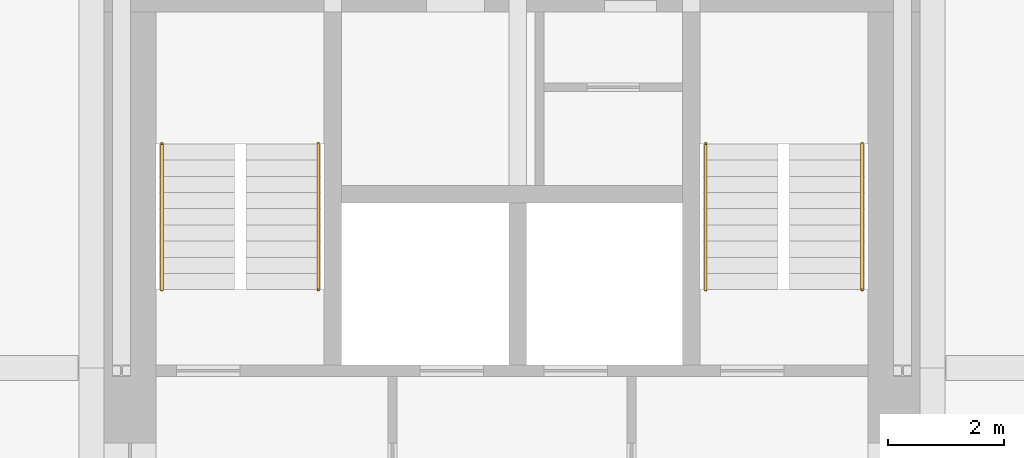
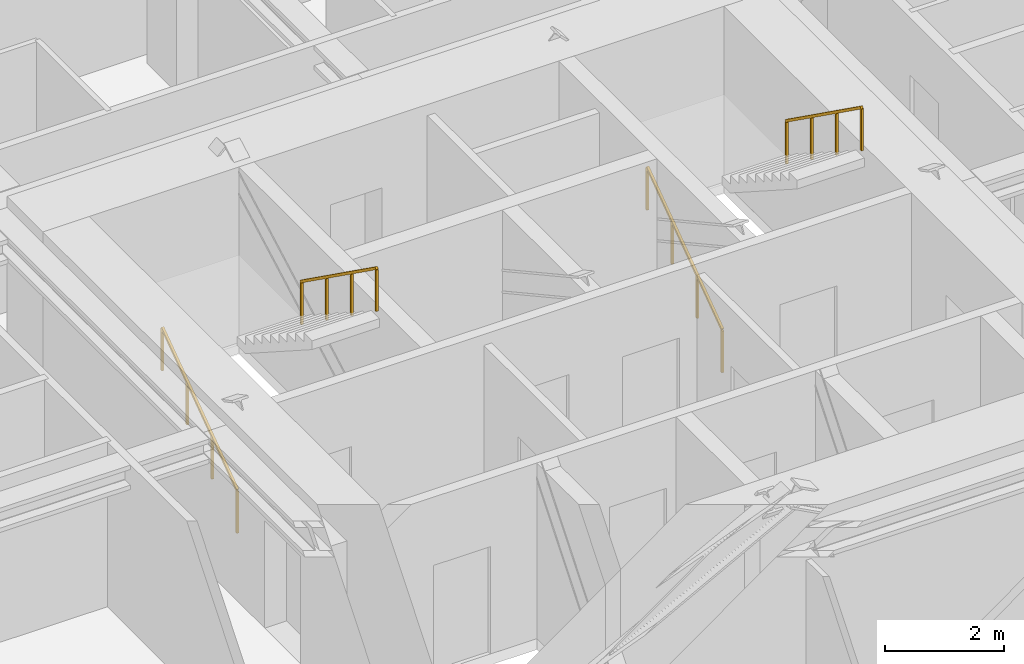
# One storey, part 8 of 8: 4 railings.
"""IFC4 building model written with IfcOpenShell, lengths in metres."""

from ifc_helpers import new_model, si_unit, direction, frame, origin, origin_2d, place, context, subcontext, project, spatial, rectangle, extrude, material, type_object, element, save


model = new_model("IFC4")

# Units and contexts
model_context = context("Model", 3, precision=1e-05, world=origin(), true_north=direction((0.0, 1.0)))
body_context = subcontext(model_context, "Body", "Model", "MODEL_VIEW")
ifc_project = project(units=[si_unit("LENGTHUNIT", "METRE"), si_unit("AREAUNIT", "SQUARE_METRE"), si_unit("VOLUMEUNIT", "CUBIC_METRE"), si_unit("PLANEANGLEUNIT", "RADIAN"), si_unit("MASSUNIT", "GRAM", prefix="KILO")], contexts=[model_context])

# Site, building, storey
site_placement = place(None, origin())
site = spatial("IfcSite", under=ifc_project, at=site_placement, CompositionType="ELEMENT")
building_placement = place(site_placement, origin())
building = spatial("IfcBuilding", under=site, at=building_placement, Name="Nyansa Garden Tower", CompositionType="ELEMENT")
storey_placement = place(building_placement, frame((0.0, 0.0, 243.89990234375)))
storey = spatial("IfcBuildingStorey", under=building, at=storey_placement, Name="L66", CompositionType="ELEMENT", Elevation=243.89990234375)

# Railings
ifc_material = material(Name="Black powder-coated steel tube 48 mm", Category="steel")
railing_type = type_object("IfcRailingType", Name="Stair handrail HR1", PredefinedType="HANDRAIL", material=ifc_material)
railing_1_placement = place(storey_placement, frame((14.199951171875, 21.60009765625, 0.0)))
element("IfcRailing", 1, at=railing_1_placement, inside=storey, type_object=railing_type, Name="Stair S1 handrail L66", PredefinedType="HANDRAIL", context=body_context, shape_type="SweptSolid", body=[
    extrude(rectangle(XDim=0.048095703125, YDim=0.048095703125, at=origin_2d()), frame((0.0, 0.0, 0.8759765625), z_axis=(0.0, 0.813728144527, 0.581245650998), x_axis=(-1.0, 0.0, 0.0)), (0.0, 0.0, 1.0), 3.096923828125),
    extrude(rectangle(XDim=0.0419921875, YDim=0.0419921875, at=origin_2d()), origin(), (0.0, 0.0, 1.0), 0.851806640625),
    extrude(rectangle(XDim=0.0419921875, YDim=0.0419921875, at=origin_2d()), frame((0.0, 0.840087890625, 0.60009765625)), (0.0, 0.0, 1.0), 0.851806640625),
    extrude(rectangle(XDim=0.0419921875, YDim=0.0419921875, at=origin_2d()), frame((0.0, 1.679931640625, 1.199951171875)), (0.0, 0.0, 1.0), 0.851806640625),
    extrude(rectangle(XDim=0.0419921875, YDim=0.0419921875, at=origin_2d()), frame((0.0, 2.52001953125, 1.800048828125)), (0.0, 0.0, 1.0), 0.851806640625),
])
railing_2_placement = place(storey_placement, frame((16.89990234375, 24.1201171875, 1.800048828125)))
element("IfcRailing", 2, at=railing_2_placement, inside=storey, type_object=railing_type, Name="Stair S1 handrail L66", PredefinedType="HANDRAIL", context=body_context, shape_type="SweptSolid", body=[
    extrude(rectangle(XDim=0.048095703125, YDim=0.048095703125, at=origin_2d()), frame((0.0, 0.0, 0.8759765625), z_axis=(0.0, -0.813728144527, 0.581245650998), x_axis=(1.0, 0.0, 0.0)), (0.0, 0.0, 1.0), 3.096923828125),
    extrude(rectangle(XDim=0.0419921875, YDim=0.0419921875, at=origin_2d()), origin(), (0.0, 0.0, 1.0), 0.851806640625),
    extrude(rectangle(XDim=0.0419921875, YDim=0.0419921875, at=origin_2d()), frame((0.0, -0.840087890625, 0.60009765625)), (0.0, 0.0, 1.0), 0.851806640625),
    extrude(rectangle(XDim=0.0419921875, YDim=0.0419921875, at=origin_2d()), frame((0.0, -1.679931640625, 1.199951171875)), (0.0, 0.0, 1.0), 0.851806640625),
    extrude(rectangle(XDim=0.0419921875, YDim=0.0419921875, at=origin_2d()), frame((0.0, -2.52001953125, 1.800048828125)), (0.0, 0.0, 1.0), 0.851806640625),
])
railing_3_placement = place(storey_placement, frame((23.60009765625, 21.60009765625, 0.0)))
element("IfcRailing", 3, at=railing_3_placement, inside=storey, type_object=railing_type, Name="Stair S2 handrail L66", PredefinedType="HANDRAIL", context=body_context, shape_type="SweptSolid", body=[
    extrude(rectangle(XDim=0.048095703125, YDim=0.048095703125, at=origin_2d()), frame((0.0, 0.0, 0.8759765625), z_axis=(0.0, 0.813728144527, 0.581245650998), x_axis=(-1.0, 0.0, 0.0)), (0.0, 0.0, 1.0), 3.096923828125),
    extrude(rectangle(XDim=0.0419921875, YDim=0.0419921875, at=origin_2d()), origin(), (0.0, 0.0, 1.0), 0.851806640625),
    extrude(rectangle(XDim=0.0419921875, YDim=0.0419921875, at=origin_2d()), frame((0.0, 0.840087890625, 0.60009765625)), (0.0, 0.0, 1.0), 0.851806640625),
    extrude(rectangle(XDim=0.0419921875, YDim=0.0419921875, at=origin_2d()), frame((0.0, 1.679931640625, 1.199951171875)), (0.0, 0.0, 1.0), 0.851806640625),
    extrude(rectangle(XDim=0.0419921875, YDim=0.0419921875, at=origin_2d()), frame((0.0, 2.52001953125, 1.800048828125)), (0.0, 0.0, 1.0), 0.851806640625),
])
railing_4_placement = place(storey_placement, frame((26.300048828125, 24.1201171875, 1.800048828125)))
element("IfcRailing", 4, at=railing_4_placement, inside=storey, type_object=railing_type, Name="Stair S2 handrail L66", PredefinedType="HANDRAIL", context=body_context, shape_type="SweptSolid", body=[
    extrude(rectangle(XDim=0.048095703125, YDim=0.048095703125, at=origin_2d()), frame((0.0, 0.0, 0.8759765625), z_axis=(0.0, -0.813728144527, 0.581245650998), x_axis=(1.0, 0.0, 0.0)), (0.0, 0.0, 1.0), 3.096923828125),
    extrude(rectangle(XDim=0.0419921875, YDim=0.0419921875, at=origin_2d()), origin(), (0.0, 0.0, 1.0), 0.851806640625),
    extrude(rectangle(XDim=0.0419921875, YDim=0.0419921875, at=origin_2d()), frame((0.0, -0.840087890625, 0.60009765625)), (0.0, 0.0, 1.0), 0.851806640625),
    extrude(rectangle(XDim=0.0419921875, YDim=0.0419921875, at=origin_2d()), frame((0.0, -1.679931640625, 1.199951171875)), (0.0, 0.0, 1.0), 0.851806640625),
    extrude(rectangle(XDim=0.0419921875, YDim=0.0419921875, at=origin_2d()), frame((0.0, -2.52001953125, 1.800048828125)), (0.0, 0.0, 1.0), 0.851806640625),
])

save(model, "model.ifc")
